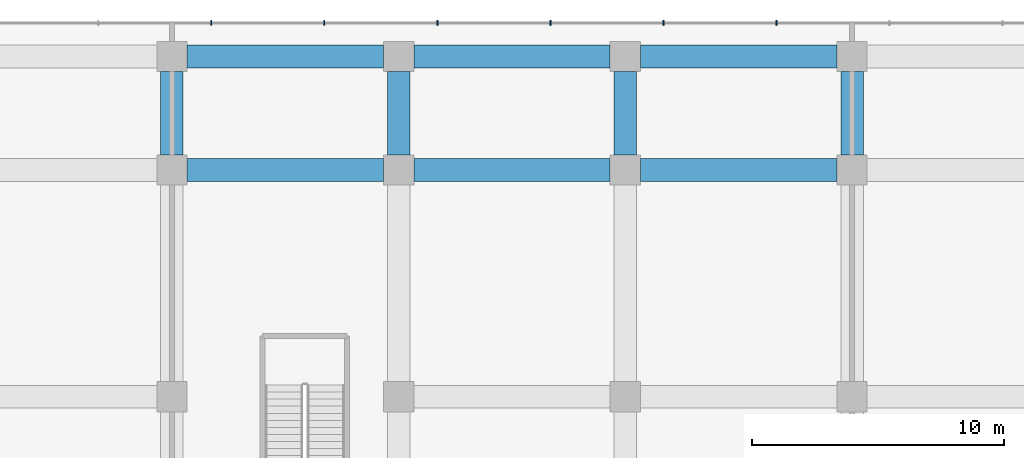
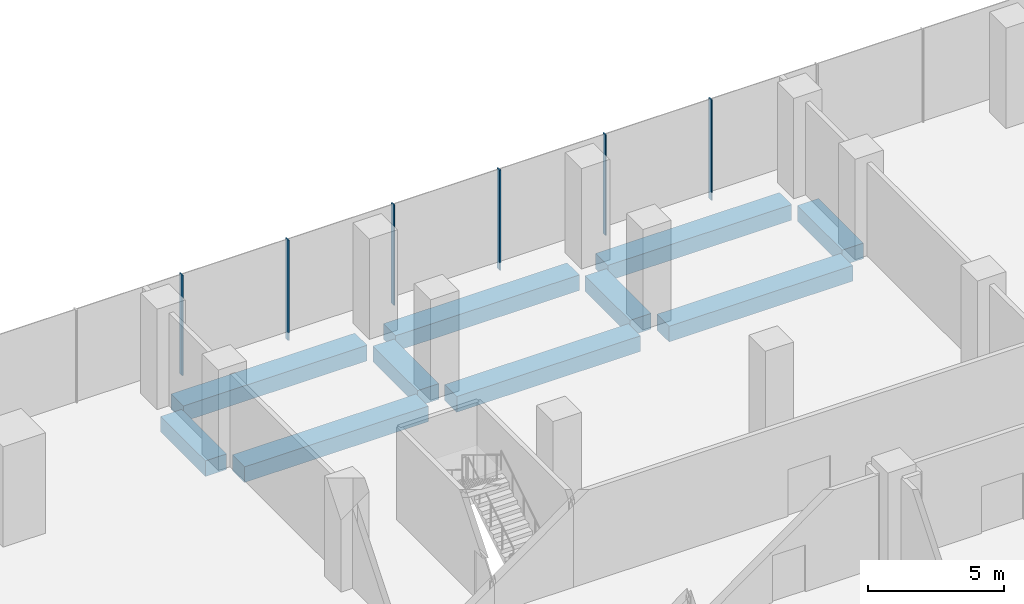
# One storey, part 22 of 43: 10 beams, 6 members, 1 element without a shape of its own.
"""IFC4 building model written with IfcOpenShell, lengths in metres."""

from ifc_helpers import new_model, si_unit, direction, frame, origin, origin_2d, place, context, subcontext, project, spatial, rectangle, extrude, material, layer, layer_set, material_profile, profile_set, type_object, element, aggregate, save


model = new_model("IFC4")

# Units and contexts
model_context = context("Model", 3, precision=1e-05, world=origin(), true_north=direction((0.0, 1.0)))
body_context = subcontext(model_context, "Body", "Model", "MODEL_VIEW")
ifc_project = project(units=[si_unit("LENGTHUNIT", "METRE"), si_unit("AREAUNIT", "SQUARE_METRE"), si_unit("VOLUMEUNIT", "CUBIC_METRE"), si_unit("PLANEANGLEUNIT", "RADIAN"), si_unit("MASSUNIT", "GRAM", prefix="KILO")], contexts=[model_context])

# Site, building, storey
site_placement = place(None, origin())
site = spatial("IfcSite", under=ifc_project, at=site_placement, CompositionType="ELEMENT")
building_placement = place(site_placement, origin())
building = spatial("IfcBuilding", under=site, at=building_placement, Name="Plateau Cross Towers", CompositionType="ELEMENT")
storey_placement = place(building_placement, frame((0.0, 0.0, 17.300048828125)))
storey = spatial("IfcBuildingStorey", under=building, at=storey_placement, Name="L03", CompositionType="ELEMENT", Elevation=17.300048828125)

# Curtain wall, members
ifc_material_1 = material(Name="Dark low-iron laminated glass", Category="glass")
ifc_layer = layer(ifc_material_1, 0.300048828125)
ifc_layer_set = layer_set([ifc_layer], Name="Dark low-iron laminated glass")
curtain_wall_type = type_object("IfcCurtainWallType", Name="Curtain wall structural silicone CW-C", PredefinedType="NOTDEFINED", material=ifc_layer_set)
curtain_wall_placement = place(storey_placement, origin())
curtain_wall = element("IfcCurtainWall", 1, at=curtain_wall_placement, inside=storey, type_object=curtain_wall_type, Name="ENV/P/L03/P1048_598", PredefinedType="NOTDEFINED")
ifc_material_2 = material(Name="Black anodised aluminium", Category="aluminium")
ifc_material_profile_1 = material_profile(ifc_material_2, rectangle(XDim=0.050048828125, YDim=0.199951171875, at=origin_2d()), Name="MULLION 50x200")
ifc_profile_set_1 = profile_set([ifc_material_profile_1], Name="Black anodised aluminium")
member_type = type_object("IfcMemberType", Name="Mullion 50x200 structural silicone", PredefinedType="MULLION", material=ifc_profile_set_1)
member_1_placement = place(storey_placement, frame((51.0, 59.85009765625, -0.35009765625), z_axis=(0.0, 0.0, 1.0), x_axis=(-1.0, 0.0, 0.0)))
member_1 = element("IfcMember", 2, at=member_1_placement, type_object=member_type, Name="CW-C mullion 13", PredefinedType="MULLION", context=body_context, shape_type="SweptSolid", body=[
    extrude(rectangle(XDim=0.050048828125, YDim=0.199951171875, at=origin_2d()), origin(), (0.0, 0.0, 1.0), 4.5),
])
member_2_placement = place(storey_placement, frame((46.512451171875, 59.85009765625, -0.35009765625), z_axis=(0.0, 0.0, 1.0), x_axis=(-1.0, 0.0, 0.0)))
member_2 = element("IfcMember", 3, at=member_2_placement, type_object=member_type, Name="CW-C mullion 14", PredefinedType="MULLION", context=body_context, shape_type="SweptSolid", body=[
    extrude(rectangle(XDim=0.050048828125, YDim=0.199951171875, at=origin_2d()), origin(), (0.0, 0.0, 1.0), 4.5),
])
member_3_placement = place(storey_placement, frame((42.02490234375, 59.85009765625, -0.35009765625), z_axis=(0.0, 0.0, 1.0), x_axis=(-1.0, 0.0, 0.0)))
member_3 = element("IfcMember", 4, at=member_3_placement, type_object=member_type, Name="CW-C mullion 15", PredefinedType="MULLION", context=body_context, shape_type="SweptSolid", body=[
    extrude(rectangle(XDim=0.050048828125, YDim=0.199951171875, at=origin_2d()), origin(), (0.0, 0.0, 1.0), 4.5),
])
member_4_placement = place(storey_placement, frame((37.53759765625, 59.85009765625, -0.35009765625), z_axis=(0.0, 0.0, 1.0), x_axis=(-1.0, 0.0, 0.0)))
member_4 = element("IfcMember", 5, at=member_4_placement, type_object=member_type, Name="CW-C mullion 16", PredefinedType="MULLION", context=body_context, shape_type="SweptSolid", body=[
    extrude(rectangle(XDim=0.050048828125, YDim=0.199951171875, at=origin_2d()), origin(), (0.0, 0.0, 1.0), 4.5),
])
member_5_placement = place(storey_placement, frame((33.050048828125, 59.85009765625, -0.35009765625), z_axis=(0.0, 0.0, 1.0), x_axis=(-1.0, 0.0, 0.0)))
member_5 = element("IfcMember", 6, at=member_5_placement, type_object=member_type, Name="CW-C mullion 17", PredefinedType="MULLION", context=body_context, shape_type="SweptSolid", body=[
    extrude(rectangle(XDim=0.050048828125, YDim=0.199951171875, at=origin_2d()), origin(), (0.0, 0.0, 1.0), 4.5),
])
member_6_placement = place(storey_placement, frame((28.5625, 59.85009765625, -0.35009765625), z_axis=(0.0, 0.0, 1.0), x_axis=(-1.0, 0.0, 0.0)))
member_6 = element("IfcMember", 7, at=member_6_placement, type_object=member_type, Name="CW-C mullion 18", PredefinedType="MULLION", context=body_context, shape_type="SweptSolid", body=[
    extrude(rectangle(XDim=0.050048828125, YDim=0.199951171875, at=origin_2d()), origin(), (0.0, 0.0, 1.0), 4.5),
])
aggregate(curtain_wall, [member_1, member_2, member_3, member_4, member_5, member_6])

# Beams
ifc_material_3 = material(Name="Concrete C50/60", Category="concrete")
ifc_material_profile_2 = material_profile(ifc_material_3, rectangle(XDim=0.89990234375, YDim=0.699951171875, at=origin_2d()), Name="RC 900x700")
ifc_profile_set_2 = profile_set([ifc_material_profile_2], Name="Concrete C50/60")
beam_type = type_object("IfcBeamType", Name="Podium band beam RC 900x700", PredefinedType="BEAM", material=ifc_profile_set_2)
for number, where, z_axis, x_axis, name in (
    (8, (27.60009765625, 54.0, -0.699951171875), (1.0, 0.0, 0.0), (0.0, 1.0, 0.0), "PB71@L03"),
    (9, (36.60009765625, 54.0, -0.699951171875), (1.0, 0.0, 0.0), (0.0, 1.0, 0.0), "PB72@L03"),
    (10, (45.60009765625, 54.0, -0.699951171875), (1.0, 0.0, 0.0), (0.0, 1.0, 0.0), "PB73@L03"),
    (11, (27.60009765625, 58.5, -0.699951171875), (1.0, 0.0, 0.0), (0.0, 1.0, 0.0), "PB84@L03"),
    (12, (36.60009765625, 58.5, -0.699951171875), (1.0, 0.0, 0.0), (0.0, 1.0, 0.0), "PB85@L03"),
    (13, (45.60009765625, 58.5, -0.699951171875), (1.0, 0.0, 0.0), (0.0, 1.0, 0.0), "PB86@L03"),
):
    element("IfcBeam", number, at=place(storey_placement, frame(where, z_axis=z_axis, x_axis=x_axis)), inside=storey, type_object=beam_type, Name=name, PredefinedType="BEAM", context=body_context, shape_type="SweptSolid", body=[
        extrude(rectangle(XDim=0.89990234375, YDim=0.699951171875, at=origin_2d()), origin(), (0.0, 0.0, 1.0), 7.7998046875),
    ])
for number, where, z_axis, x_axis, name in (
    (14, (27.0, 54.60009765625, -0.699951171875), (0.0, 1.0, 0.0), (-1.0, 0.0, 0.0), "PB122@L03"),
    (15, (36.0, 54.60009765625, -0.699951171875), (0.0, 1.0, 0.0), (-1.0, 0.0, 0.0), "PB131@L03"),
    (16, (45.0, 54.60009765625, -0.699951171875), (0.0, 1.0, 0.0), (-1.0, 0.0, 0.0), "PB138@L03"),
    (17, (54.0, 54.60009765625, -0.699951171875), (0.0, 1.0, 0.0), (-1.0, 0.0, 0.0), "PB147@L03"),
):
    element("IfcBeam", number, at=place(storey_placement, frame(where, z_axis=z_axis, x_axis=x_axis)), inside=storey, type_object=beam_type, Name=name, PredefinedType="BEAM", context=body_context, shape_type="SweptSolid", body=[
        extrude(rectangle(XDim=0.89990234375, YDim=0.699951171875, at=origin_2d()), origin(), (0.0, 0.0, 1.0), 3.2998046875),
    ])

save(model, "model.ifc")
